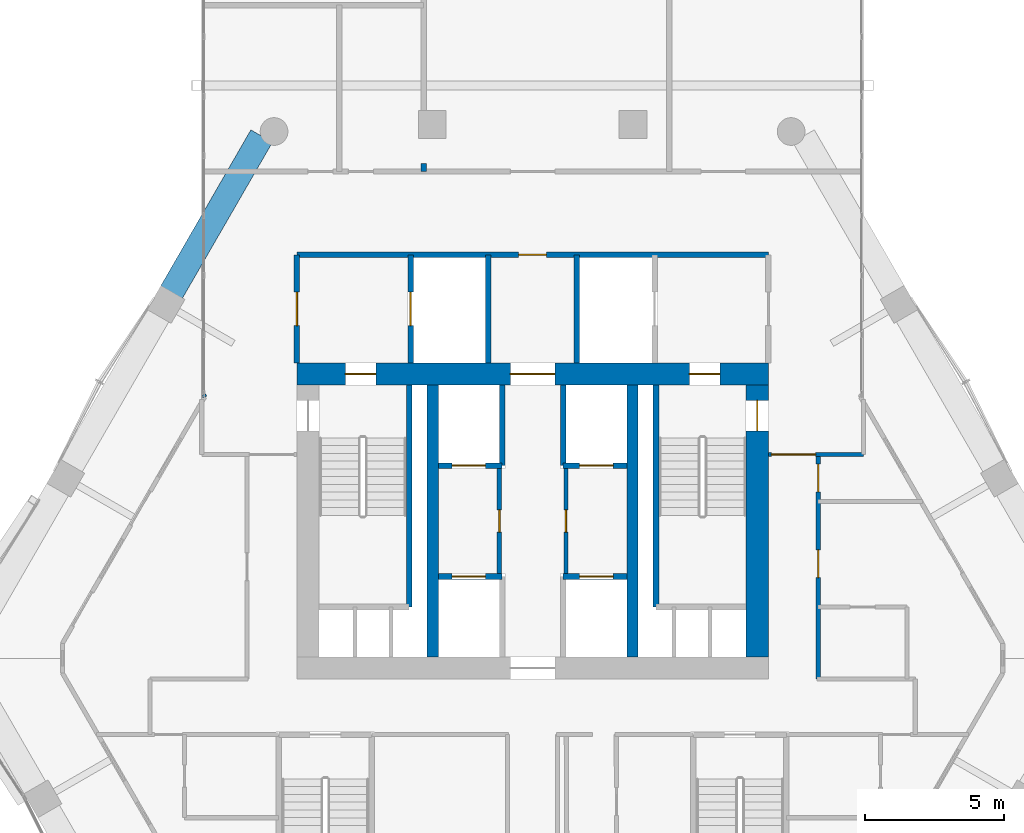
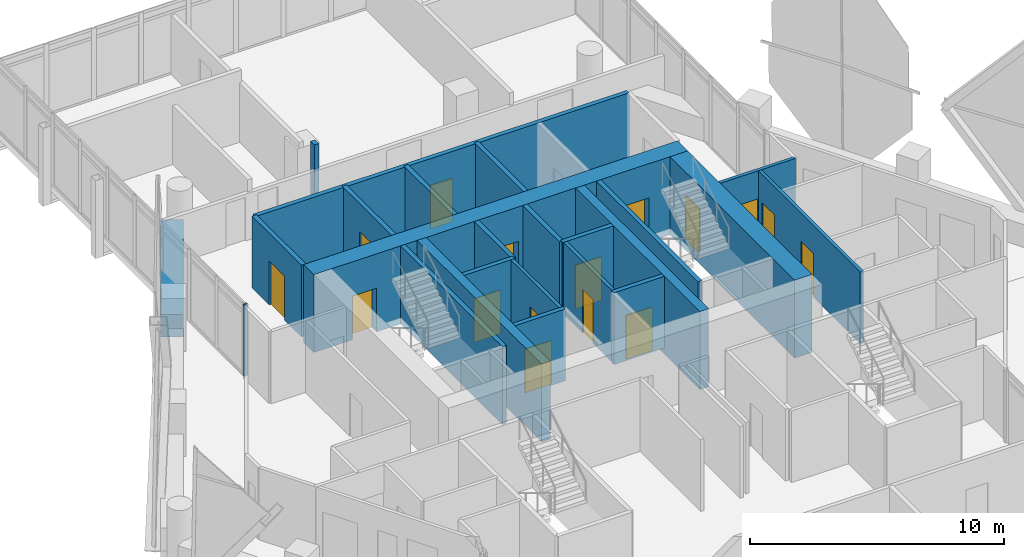
# One storey, part 31 of 37: 24 walls, 16 doors, 16 openings.
"""IFC4 building model written with IfcOpenShell, lengths in metres."""

from ifc_helpers import new_model, si_unit, direction, frame, frame_2d, origin, place, context, subcontext, project, spatial, rectangle, extrude, material, layer, layer_set, type_object, element, fill, save


model = new_model("IFC4")

# Units and contexts
model_context = context("Model", 3, precision=1e-05, world=origin(), true_north=direction((0.0, 1.0)))
body_context = subcontext(model_context, "Body", "Model", "MODEL_VIEW")
ifc_project = project(units=[si_unit("LENGTHUNIT", "METRE"), si_unit("AREAUNIT", "SQUARE_METRE"), si_unit("VOLUMEUNIT", "CUBIC_METRE"), si_unit("PLANEANGLEUNIT", "RADIAN"), si_unit("MASSUNIT", "GRAM", prefix="KILO")], contexts=[model_context])

# Site, building, storey
site_placement = place(None, origin())
site = spatial("IfcSite", under=ifc_project, at=site_placement, CompositionType="ELEMENT")
building_placement = place(site_placement, origin())
building = spatial("IfcBuilding", under=site, at=building_placement, Name="Ostrander Bayou Hotel Tower", CompositionType="ELEMENT")
storey_placement = place(building_placement, frame((0.0, 0.0, 198.25)))
storey = spatial("IfcBuildingStorey", under=building, at=storey_placement, Name="L49", CompositionType="ELEMENT", Elevation=198.25)

# Wall, openings, doors
ifc_material_1 = material(Name="Concrete f'c 60 MPa", Category="concrete")
ifc_layer_1 = layer(ifc_material_1, 0.800048828125)
ifc_layer_set_1 = layer_set([ifc_layer_1], Name="CW7 core wall 800 mm f'c 60 MPa")
wall_type_1 = type_object("IfcWallType", Name="CW7 core wall 800 mm f'c 60 MPa", PredefinedType="SHEAR", material=ifc_layer_set_1)
wall_1_placement = place(storey_placement, frame((-8.5, 9.300048828125, -0.300048828125), z_axis=(0.0, 0.0, 1.0), x_axis=(1.0, 0.0, 0.0)))
wall_1 = element("IfcWall", 1, at=wall_1_placement, inside=storey, type_object=wall_type_1, Name="CW7 L49 N", PredefinedType="SHEAR", context=body_context, shape_type="SweptSolid", body=[
    extrude(rectangle(XDim=17.0, YDim=0.800048828125, at=frame_2d((8.5, 0.0))), origin(), (0.0, 0.0, 1.0), 3.75),
])
opening_1_placement = place(wall_1_placement, frame((7.699951171875, 0.0, 0.0)))
opening_1 = element("IfcOpeningElement", 2, at=opening_1_placement, cuts=wall_1, Name="Opening T48-006", PredefinedType="OPENING", context=body_context, shape_type="SweptSolid", body=[
    extrude(rectangle(XDim=1.60009765625, YDim=2.10009765625, at=frame_2d((0.800048828125, 1.050048828125))), frame((0.0, 0.39990234375, 0.0), z_axis=(0.0, -1.0, 0.0), x_axis=(1.0, 0.0, 0.0)), (0.0, 0.0, 1.0), 0.800048828125),
])
opening_2_placement = place(wall_1_placement, frame((1.75, 0.0, 0.0)))
opening_2 = element("IfcOpeningElement", 3, at=opening_2_placement, cuts=wall_1, Name="Opening T48-007", PredefinedType="OPENING", context=body_context, shape_type="SweptSolid", body=[
    extrude(rectangle(XDim=1.10009765625, YDim=2.10009765625, at=frame_2d((0.550048828125, 1.050048828125))), frame((0.0, 0.39990234375, 0.0), z_axis=(0.0, -1.0, 0.0), x_axis=(1.0, 0.0, 0.0)), (0.0, 0.0, 1.0), 0.800048828125),
])
opening_3_placement = place(wall_1_placement, frame((14.14990234375, 0.0, 0.0)))
opening_3 = element("IfcOpeningElement", 4, at=opening_3_placement, cuts=wall_1, Name="Opening T48-009", PredefinedType="OPENING", context=body_context, shape_type="SweptSolid", body=[
    extrude(rectangle(XDim=1.10009765625, YDim=2.10009765625, at=frame_2d((0.550048828125, 1.050048828125))), frame((0.0, 0.39990234375, 0.0), z_axis=(0.0, -1.0, 0.0), x_axis=(1.0, 0.0, 0.0)), (0.0, 0.0, 1.0), 0.800048828125),
])
ifc_material_2 = material(Name="Timber door leaf", Category="wood")
door_type_1 = type_object("IfcDoorType", Name="D13 double door 1600 x 2100 mm, 1 hour", OperationType="SINGLE_SWING_LEFT", PredefinedType="DOOR", material=ifc_material_2)
door_1_placement = place(opening_1_placement, origin())
door_1 = element("IfcDoor", 5, at=door_1_placement, inside=storey, type_object=door_type_1, Name="dr:L49:006", OperationType="DOUBLE_DOOR_SINGLE_SWING", OverallHeight=2.10009765625, OverallWidth=1.60009765625, PredefinedType="DOOR", context=body_context, shape_type="SweptSolid", body=[
    extrude(rectangle(XDim=1.60009765625, YDim=2.10009765625, at=frame_2d((0.800048828125, 1.050048828125))), frame((0.0, 0.02490234375, 0.0), z_axis=(0.0, -1.0, 0.0), x_axis=(1.0, 0.0, 0.0)), (0.0, 0.0, 1.0), 0.050048828125),
])
fill(opening_1, door_1)
ifc_material_3 = material(Name="Timber door leaf", Category="wood")
door_type_2 = type_object("IfcDoorType", Name="D5 stair door 1100 x 2100 mm, 90 minute", OperationType="SINGLE_SWING_LEFT", PredefinedType="DOOR", material=ifc_material_3)
door_2_placement = place(opening_2_placement, origin())
door_2 = element("IfcDoor", 6, at=door_2_placement, inside=storey, type_object=door_type_2, Name="dr:L49:007", OperationType="SINGLE_SWING_LEFT", OverallHeight=2.10009765625, OverallWidth=1.10009765625, PredefinedType="DOOR", context=body_context, shape_type="SweptSolid", body=[
    extrude(rectangle(XDim=1.10009765625, YDim=2.10009765625, at=frame_2d((0.550048828125, 1.050048828125))), frame((0.0, 0.02490234375, 0.0), z_axis=(0.0, -1.0, 0.0), x_axis=(1.0, 0.0, 0.0)), (0.0, 0.0, 1.0), 0.050048828125),
])
fill(opening_2, door_2)
door_3_placement = place(opening_3_placement, origin())
door_3 = element("IfcDoor", 7, at=door_3_placement, inside=storey, type_object=door_type_2, Name="dr:L49:009", OperationType="SINGLE_SWING_RIGHT", OverallHeight=2.10009765625, OverallWidth=1.10009765625, PredefinedType="DOOR", context=body_context, shape_type="SweptSolid", body=[
    extrude(rectangle(XDim=1.10009765625, YDim=2.10009765625, at=frame_2d((0.550048828125, 1.050048828125))), frame((0.0, 0.02490234375, 0.0), z_axis=(0.0, -1.0, 0.0), x_axis=(1.0, 0.0, 0.0)), (0.0, 0.0, 1.0), 0.050048828125),
])
fill(opening_3, door_3)

# Wall, opening, door
ifc_material_4 = material(Name="Concrete f'c 60 MPa", Category="concrete")
ifc_layer_2 = layer(ifc_material_4, 0.800048828125)
ifc_layer_set_2 = layer_set([ifc_layer_2], Name="CW8 core spine wall 800 mm f'c 60 MPa")
wall_type_2 = type_object("IfcWallType", Name="CW8 core spine wall 800 mm f'c 60 MPa", PredefinedType="SHEAR", material=ifc_layer_set_2)
wall_2_placement = place(storey_placement, frame((8.10009765625, -0.89990234375, -0.300048828125), z_axis=(0.0, 0.0, 1.0), x_axis=(0.0, 1.0, 0.0)))
wall_2 = element("IfcWall", 8, at=wall_2_placement, inside=storey, type_object=wall_type_2, Name="CW8 L49 E", PredefinedType="SHEAR", context=body_context, shape_type="SweptSolid", body=[
    extrude(rectangle(XDim=9.7998046875, YDim=0.800048828125, at=frame_2d((4.89990234375, 0.0))), origin(), (0.0, 0.0, 1.0), 3.75),
])
opening_4_placement = place(wall_2_placement, frame((8.14990234375, 0.0, 0.0)))
opening_4 = element("IfcOpeningElement", 9, at=opening_4_placement, cuts=wall_2, Name="Opening T48-010", PredefinedType="OPENING", context=body_context, shape_type="SweptSolid", body=[
    extrude(rectangle(XDim=1.10009765625, YDim=2.10009765625, at=frame_2d((0.550048828125, 1.050048828125))), frame((0.0, 0.39990234375, 0.0), z_axis=(0.0, -1.0, 0.0), x_axis=(1.0, 0.0, 0.0)), (0.0, 0.0, 1.0), 0.800048828125),
])
door_4_placement = place(opening_4_placement, origin())
door_4 = element("IfcDoor", 10, at=door_4_placement, inside=storey, type_object=door_type_2, Name="dr:L49:010", OperationType="SINGLE_SWING_LEFT", OverallHeight=2.10009765625, OverallWidth=1.10009765625, PredefinedType="DOOR", context=body_context, shape_type="SweptSolid", body=[
    extrude(rectangle(XDim=1.10009765625, YDim=2.10009765625, at=frame_2d((0.550048828125, 1.050048828125))), frame((0.0, 0.02490234375, 0.0), z_axis=(0.0, -1.0, 0.0), x_axis=(1.0, 0.0, 0.0)), (0.0, 0.0, 1.0), 0.050048828125),
])
fill(opening_4, door_4)

# Walls
ifc_material_5 = material(Name="Concrete f'c 60 MPa", Category="concrete")
ifc_layer_3 = layer(ifc_material_5, 0.39990234375)
ifc_layer_set_3 = layer_set([ifc_layer_3], Name="CW9 core bank wall 400 mm f'c 60 MPa")
wall_type_3 = type_object("IfcWallType", Name="CW9 core bank wall 400 mm f'c 60 MPa", PredefinedType="SHEAR", material=ifc_layer_set_3)
for number, where, z_axis, x_axis, name in (
    (11, (-3.60009765625, -0.89990234375, -0.300048828125), (0.0, 0.0, 1.0), (0.0, 1.0, 0.0), "CW9 L49 CW"),
    (12, (3.60009765625, -0.89990234375, -0.300048828125), (0.0, 0.0, 1.0), (0.0, 1.0, 0.0), "CW9 L49 CE"),
):
    element("IfcWall", number, at=place(storey_placement, frame(where, z_axis=z_axis, x_axis=x_axis)), inside=storey, type_object=wall_type_3, Name=name, PredefinedType="SHEAR", context=body_context, shape_type="SweptSolid", body=[
        extrude(rectangle(XDim=9.7998046875, YDim=0.39990234375, at=frame_2d((4.89990234375, 0.0))), origin(), (0.0, 0.0, 1.0), 3.75),
    ])
ifc_material_6 = material(Name="Aluminium framed insulated wall", Category="aluminium")
ifc_layer_4 = layer(ifc_material_6, 0.14990234375)
ifc_layer_set_4 = layer_set([ifc_layer_4], Name="GW1 glass-line wall 150 mm")
wall_type_4 = type_object("IfcWallType", Name="GW1 glass-line wall 150 mm", PredefinedType="SOLIDWALL", material=ifc_layer_set_4)
wall_3_placement = place(storey_placement, frame((-11.823974609375, 8.471923828125, 0.0), z_axis=(0.0, 0.0, 1.0), x_axis=(-0.337751931921, 0.941235163221, 0.0)))
element("IfcWall", 13, at=wall_3_placement, inside=storey, type_object=wall_type_4, Name="GW1 L49 bar joint 1", PredefinedType="SOLIDWALL", context=body_context, shape_type="SweptSolid", body=[
    extrude(rectangle(XDim=0.098388671875, YDim=0.14990234375, at=frame_2d((0.04931640625, 0.0))), origin(), (0.0, 0.0, 1.0), 3.449951171875),
])
ifc_material_7 = material(Name="Concrete f'c 40 MPa", Category="concrete")
ifc_layer_5 = layer(ifc_material_7, 0.89990234375)
ifc_layer_set_5 = layer_set([ifc_layer_5], Name="PA1 stone-faced parapet 900 mm")
wall_type_5 = type_object("IfcWallType", Name="PA1 stone-faced parapet 900 mm", PredefinedType="PARAPET", material=ifc_layer_set_5)
wall_4_placement = place(storey_placement, frame((-9.76953125, 17.88037109375, 0.0), z_axis=(0.0, 0.0, 1.0), x_axis=(-0.499977752261, -0.866038248142, 0.0)))
element("IfcWall", 14, at=wall_4_placement, inside=storey, type_object=wall_type_5, Name="PA1 L49 NW-1", PredefinedType="PARAPET", context=body_context, shape_type="SweptSolid", body=[
    extrude(rectangle(XDim=6.511962890625, YDim=0.89990234375, at=frame_2d((3.255859375, 0.0))), origin(), (0.0, 0.0, 1.0), 1.10009765625),
])
ifc_material_8 = material(Name="Gypsum board partition", Category="finish")
ifc_layer_6 = layer(ifc_material_8, 0.199951171875)
ifc_layer_set_6 = layer_set([ifc_layer_6], Name="PT3 demising wall 200 mm acoustic double stud, 1 hour")
wall_type_6 = type_object("IfcWallType", Name="PT3 demising wall 200 mm acoustic double stud, 1 hour", PredefinedType="PARTITIONING", material=ifc_layer_set_6)
wall_5_placement = place(storey_placement, frame((-3.931884765625, 16.60009765625, 0.0), z_axis=(0.0, 0.0, 1.0), x_axis=(0.0, 1.0, 0.0)))
element("IfcWall", 15, at=wall_5_placement, inside=storey, type_object=wall_type_6, Name="sw:L49:507", PredefinedType="PARTITIONING", context=body_context, shape_type="SweptSolid", body=[
    extrude(rectangle(XDim=0.294921875, YDim=0.199951171875, at=frame_2d((0.1474609375, 0.0))), origin(), (0.0, 0.0, 1.0), 3.449951171875),
])

# Wall, opening, door
ifc_material_9 = material(Name="Masonry block", Category="masonry")
ifc_layer_7 = layer(ifc_material_9, 0.199951171875)
ifc_layer_set_7 = layer_set([ifc_layer_7], Name="PT5 stair enclosure wall 200 mm masonry, 2 hour")
wall_type_7 = type_object("IfcWallType", Name="PT5 stair enclosure wall 200 mm masonry, 2 hour", PredefinedType="PARTITIONING", material=ifc_layer_set_7)
wall_6_placement = place(storey_placement, frame((-8.5, 13.60009765625, 0.0), z_axis=(0.0, 0.0, 1.0), x_axis=(1.0, 0.0, 0.0)))
wall_6 = element("IfcWall", 16, at=wall_6_placement, inside=storey, type_object=wall_type_7, Name="cs:L49:025", PredefinedType="PARTITIONING", context=body_context, shape_type="SweptSolid", body=[
    extrude(rectangle(XDim=17.0, YDim=0.199951171875, at=frame_2d((8.5, 0.0))), origin(), (0.0, 0.0, 1.0), 3.449951171875),
])
opening_5_placement = place(wall_6_placement, frame((8.0, 0.0, 0.0)))
opening_5 = element("IfcOpeningElement", 17, at=opening_5_placement, cuts=wall_6, Name="Opening T48-017", PredefinedType="OPENING", context=body_context, shape_type="SweptSolid", body=[
    extrude(rectangle(XDim=1.0, YDim=2.10009765625, at=frame_2d((0.5, 1.050048828125))), frame((0.0, 0.10009765625, 0.0), z_axis=(0.0, -1.0, 0.0), x_axis=(1.0, 0.0, 0.0)), (0.0, 0.0, 1.0), 0.199951171875),
])
ifc_material_10 = material(Name="Timber door leaf", Category="wood")
door_type_3 = type_object("IfcDoorType", Name="D9 service door 1000 x 2100 mm, 30 minute", OperationType="SINGLE_SWING_LEFT", PredefinedType="DOOR", material=ifc_material_10)
door_5_placement = place(opening_5_placement, origin())
door_5 = element("IfcDoor", 18, at=door_5_placement, inside=storey, type_object=door_type_3, Name="dr:L49:017", OperationType="SINGLE_SWING_LEFT", OverallHeight=2.10009765625, OverallWidth=1.0, PredefinedType="DOOR", context=body_context, shape_type="SweptSolid", body=[
    extrude(rectangle(XDim=1.0, YDim=2.10009765625, at=frame_2d((0.5, 1.050048828125))), frame((0.0, 0.02490234375, 0.0), z_axis=(0.0, -1.0, 0.0), x_axis=(1.0, 0.0, 0.0)), (0.0, 0.0, 1.0), 0.050048828125),
])
fill(opening_5, door_5)

wall_7_placement = place(storey_placement, frame((-8.5, 9.699951171875, 0.0), z_axis=(0.0, 0.0, 1.0), x_axis=(0.0, 1.0, 0.0)))
wall_7 = element("IfcWall", 19, at=wall_7_placement, inside=storey, type_object=wall_type_7, Name="cs:L49:026", PredefinedType="PARTITIONING", context=body_context, shape_type="SweptSolid", body=[
    extrude(rectangle(XDim=3.900146484375, YDim=0.199951171875, at=frame_2d((1.9501953125, 0.0))), origin(), (0.0, 0.0, 1.0), 3.449951171875),
])
opening_6_placement = place(wall_7_placement, frame((1.35009765625, 0.0, 0.0)))
opening_6 = element("IfcOpeningElement", 20, at=opening_6_placement, cuts=wall_7, Name="Opening T48-014", PredefinedType="OPENING", context=body_context, shape_type="SweptSolid", body=[
    extrude(rectangle(XDim=1.199951171875, YDim=2.10009765625, at=frame_2d((0.60009765625, 1.050048828125))), frame((0.0, 0.10009765625, 0.0), z_axis=(0.0, -1.0, 0.0), x_axis=(1.0, 0.0, 0.0)), (0.0, 0.0, 1.0), 0.199951171875),
])
ifc_material_11 = material(Name="Timber door leaf", Category="wood")
door_type_4 = type_object("IfcDoorType", Name="D7 lobby door 1200 x 2100 mm, 1 hour", OperationType="SINGLE_SWING_LEFT", PredefinedType="DOOR", material=ifc_material_11)
door_6_placement = place(opening_6_placement, origin())
door_6 = element("IfcDoor", 21, at=door_6_placement, inside=storey, type_object=door_type_4, Name="dr:L49:014", OperationType="SINGLE_SWING_LEFT", OverallHeight=2.10009765625, OverallWidth=1.199951171875, PredefinedType="DOOR", context=body_context, shape_type="SweptSolid", body=[
    extrude(rectangle(XDim=1.199951171875, YDim=2.10009765625, at=frame_2d((0.60009765625, 1.050048828125))), frame((0.0, 0.02490234375, 0.0), z_axis=(0.0, -1.0, 0.0), x_axis=(1.0, 0.0, 0.0)), (0.0, 0.0, 1.0), 0.050048828125),
])
fill(opening_6, door_6)

wall_8_placement = place(storey_placement, frame((-4.39990234375, 9.699951171875, 0.0), z_axis=(0.0, 0.0, 1.0), x_axis=(0.0, 1.0, 0.0)))
wall_8 = element("IfcWall", 22, at=wall_8_placement, inside=storey, type_object=wall_type_7, Name="cs:L49:028", PredefinedType="PARTITIONING", context=body_context, shape_type="SweptSolid", body=[
    extrude(rectangle(XDim=3.900146484375, YDim=0.199951171875, at=frame_2d((1.9501953125, 0.0))), origin(), (0.0, 0.0, 1.0), 3.449951171875),
])
opening_7_placement = place(wall_8_placement, frame((1.35009765625, 0.0, 0.0)))
opening_7 = element("IfcOpeningElement", 23, at=opening_7_placement, cuts=wall_8, Name="Opening T48-013", PredefinedType="OPENING", context=body_context, shape_type="SweptSolid", body=[
    extrude(rectangle(XDim=1.199951171875, YDim=2.10009765625, at=frame_2d((0.60009765625, 1.050048828125))), frame((0.0, 0.10009765625, 0.0), z_axis=(0.0, -1.0, 0.0), x_axis=(1.0, 0.0, 0.0)), (0.0, 0.0, 1.0), 0.199951171875),
])
ifc_material_12 = material(Name="Stainless steel sliding door", Category="steel")
door_type_5 = type_object("IfcDoorType", Name="LD1 lift landing door 1200 x 2100 mm", OperationType="SINGLE_SWING_LEFT", PredefinedType="DOOR", material=ifc_material_12)
door_7_placement = place(opening_7_placement, origin())
door_7 = element("IfcDoor", 24, at=door_7_placement, inside=storey, type_object=door_type_5, Name="dr:L49:013", OperationType="SLIDING_TO_LEFT", OverallHeight=2.10009765625, OverallWidth=1.199951171875, PredefinedType="DOOR", context=body_context, shape_type="SweptSolid", body=[
    extrude(rectangle(XDim=1.199951171875, YDim=2.10009765625, at=frame_2d((0.60009765625, 1.050048828125))), frame((0.0, 0.02490234375, 0.0), z_axis=(0.0, -1.0, 0.0), x_axis=(1.0, 0.0, 0.0)), (0.0, 0.0, 1.0), 0.050048828125),
])
fill(opening_7, door_7)

ifc_material_13 = material(Name="Masonry block", Category="masonry")
ifc_layer_8 = layer(ifc_material_13, 0.199951171875)
ifc_layer_set_8 = layer_set([ifc_layer_8], Name="PT6 lift shaft wall 200 mm masonry, 2 hour")
wall_type_8 = type_object("IfcWallType", Name="PT6 lift shaft wall 200 mm masonry, 2 hour", PredefinedType="PARTITIONING", material=ifc_layer_set_8)
wall_9_placement = place(storey_placement, frame((-3.39990234375, 2.0, 0.0), z_axis=(0.0, 0.0, 1.0), x_axis=(1.0, 0.0, 0.0)))
wall_9 = element("IfcWall", 25, at=wall_9_placement, inside=storey, type_object=wall_type_8, Name="cs:L49:001", PredefinedType="PARTITIONING", context=body_context, shape_type="SweptSolid", body=[
    extrude(rectangle(XDim=2.2998046875, YDim=0.199951171875, at=frame_2d((1.14990234375, 0.0))), origin(), (0.0, 0.0, 1.0), 3.449951171875),
])
opening_8_placement = place(wall_9_placement, frame((0.5, 0.0, 0.0)))
opening_8 = element("IfcOpeningElement", 26, at=opening_8_placement, cuts=wall_9, Name="Opening T48-001", PredefinedType="OPENING", context=body_context, shape_type="SweptSolid", body=[
    extrude(rectangle(XDim=1.199951171875, YDim=2.10009765625, at=frame_2d((0.60009765625, 1.050048828125))), frame((0.0, 0.10009765625, 0.0), z_axis=(0.0, -1.0, 0.0), x_axis=(1.0, 0.0, 0.0)), (0.0, 0.0, 1.0), 0.199951171875),
])
door_8_placement = place(opening_8_placement, origin())
door_8 = element("IfcDoor", 27, at=door_8_placement, inside=storey, type_object=door_type_5, Name="dr:L49:001", OperationType="SLIDING_TO_LEFT", OverallHeight=2.10009765625, OverallWidth=1.199951171875, PredefinedType="DOOR", context=body_context, shape_type="SweptSolid", body=[
    extrude(rectangle(XDim=1.199951171875, YDim=2.10009765625, at=frame_2d((0.60009765625, 1.050048828125))), frame((0.0, 0.02490234375, 0.0), z_axis=(0.0, -1.0, 0.0), x_axis=(1.0, 0.0, 0.0)), (0.0, 0.0, 1.0), 0.050048828125),
])
fill(opening_8, door_8)

wall_10_placement = place(storey_placement, frame((-3.39990234375, 6.0, 0.0), z_axis=(0.0, 0.0, 1.0), x_axis=(1.0, 0.0, 0.0)))
wall_10 = element("IfcWall", 28, at=wall_10_placement, inside=storey, type_object=wall_type_8, Name="cs:L49:002", PredefinedType="PARTITIONING", context=body_context, shape_type="SweptSolid", body=[
    extrude(rectangle(XDim=2.2998046875, YDim=0.199951171875, at=frame_2d((1.14990234375, 0.0))), origin(), (0.0, 0.0, 1.0), 3.449951171875),
])
opening_9_placement = place(wall_10_placement, frame((0.5, 0.0, 0.0)))
opening_9 = element("IfcOpeningElement", 29, at=opening_9_placement, cuts=wall_10, Name="Opening T48-003", PredefinedType="OPENING", context=body_context, shape_type="SweptSolid", body=[
    extrude(rectangle(XDim=1.199951171875, YDim=2.10009765625, at=frame_2d((0.60009765625, 1.050048828125))), frame((0.0, 0.10009765625, 0.0), z_axis=(0.0, -1.0, 0.0), x_axis=(1.0, 0.0, 0.0)), (0.0, 0.0, 1.0), 0.199951171875),
])
door_9_placement = place(opening_9_placement, origin())
door_9 = element("IfcDoor", 30, at=door_9_placement, inside=storey, type_object=door_type_5, Name="dr:L49:003", OperationType="SLIDING_TO_LEFT", OverallHeight=2.10009765625, OverallWidth=1.199951171875, PredefinedType="DOOR", context=body_context, shape_type="SweptSolid", body=[
    extrude(rectangle(XDim=1.199951171875, YDim=2.10009765625, at=frame_2d((0.60009765625, 1.050048828125))), frame((0.0, 0.02490234375, 0.0), z_axis=(0.0, -1.0, 0.0), x_axis=(1.0, 0.0, 0.0)), (0.0, 0.0, 1.0), 0.050048828125),
])
fill(opening_9, door_9)

wall_11_placement = place(storey_placement, frame((1.10009765625, 2.0, 0.0), z_axis=(0.0, 0.0, 1.0), x_axis=(1.0, 0.0, 0.0)))
wall_11 = element("IfcWall", 31, at=wall_11_placement, inside=storey, type_object=wall_type_8, Name="cs:L49:003", PredefinedType="PARTITIONING", context=body_context, shape_type="SweptSolid", body=[
    extrude(rectangle(XDim=2.2998046875, YDim=0.199951171875, at=frame_2d((1.14990234375, 0.0))), origin(), (0.0, 0.0, 1.0), 3.449951171875),
])
opening_10_placement = place(wall_11_placement, frame((0.60009765625, 0.0, 0.0)))
opening_10 = element("IfcOpeningElement", 32, at=opening_10_placement, cuts=wall_11, Name="Opening T48-002", PredefinedType="OPENING", context=body_context, shape_type="SweptSolid", body=[
    extrude(rectangle(XDim=1.199951171875, YDim=2.10009765625, at=frame_2d((0.60009765625, 1.050048828125))), frame((0.0, 0.10009765625, 0.0), z_axis=(0.0, -1.0, 0.0), x_axis=(1.0, 0.0, 0.0)), (0.0, 0.0, 1.0), 0.199951171875),
])
door_10_placement = place(opening_10_placement, origin())
door_10 = element("IfcDoor", 33, at=door_10_placement, inside=storey, type_object=door_type_5, Name="dr:L49:002", OperationType="SLIDING_TO_LEFT", OverallHeight=2.10009765625, OverallWidth=1.199951171875, PredefinedType="DOOR", context=body_context, shape_type="SweptSolid", body=[
    extrude(rectangle(XDim=1.199951171875, YDim=2.10009765625, at=frame_2d((0.60009765625, 1.050048828125))), frame((0.0, 0.02490234375, 0.0), z_axis=(0.0, -1.0, 0.0), x_axis=(1.0, 0.0, 0.0)), (0.0, 0.0, 1.0), 0.050048828125),
])
fill(opening_10, door_10)

wall_12_placement = place(storey_placement, frame((1.10009765625, 6.0, 0.0), z_axis=(0.0, 0.0, 1.0), x_axis=(1.0, 0.0, 0.0)))
wall_12 = element("IfcWall", 34, at=wall_12_placement, inside=storey, type_object=wall_type_8, Name="cs:L49:004", PredefinedType="PARTITIONING", context=body_context, shape_type="SweptSolid", body=[
    extrude(rectangle(XDim=2.2998046875, YDim=0.199951171875, at=frame_2d((1.14990234375, 0.0))), origin(), (0.0, 0.0, 1.0), 3.449951171875),
])
opening_11_placement = place(wall_12_placement, frame((0.60009765625, 0.0, 0.0)))
opening_11 = element("IfcOpeningElement", 35, at=opening_11_placement, cuts=wall_12, Name="Opening T48-004", PredefinedType="OPENING", context=body_context, shape_type="SweptSolid", body=[
    extrude(rectangle(XDim=1.199951171875, YDim=2.10009765625, at=frame_2d((0.60009765625, 1.050048828125))), frame((0.0, 0.10009765625, 0.0), z_axis=(0.0, -1.0, 0.0), x_axis=(1.0, 0.0, 0.0)), (0.0, 0.0, 1.0), 0.199951171875),
])
door_11_placement = place(opening_11_placement, origin())
door_11 = element("IfcDoor", 36, at=door_11_placement, inside=storey, type_object=door_type_5, Name="dr:L49:004", OperationType="SLIDING_TO_LEFT", OverallHeight=2.10009765625, OverallWidth=1.199951171875, PredefinedType="DOOR", context=body_context, shape_type="SweptSolid", body=[
    extrude(rectangle(XDim=1.199951171875, YDim=2.10009765625, at=frame_2d((0.60009765625, 1.050048828125))), frame((0.0, 0.02490234375, 0.0), z_axis=(0.0, -1.0, 0.0), x_axis=(1.0, 0.0, 0.0)), (0.0, 0.0, 1.0), 0.050048828125),
])
fill(opening_11, door_11)

# Walls
for number, where, z_axis, x_axis, name in (
    (37, (-1.10009765625, 6.0, 0.0), (0.0, 0.0, 1.0), (0.0, 1.0, 0.0), "cs:L49:007"),
    (38, (1.10009765625, 6.0, 0.0), (0.0, 0.0, 1.0), (0.0, 1.0, 0.0), "cs:L49:008"),
):
    element("IfcWall", number, at=place(storey_placement, frame(where, z_axis=z_axis, x_axis=x_axis)), inside=storey, type_object=wall_type_8, Name=name, PredefinedType="PARTITIONING", context=body_context, shape_type="SweptSolid", body=[
        extrude(rectangle(XDim=2.89990234375, YDim=0.199951171875, at=frame_2d((1.449951171875, 0.0))), origin(), (0.0, 0.0, 1.0), 3.449951171875),
    ])
for number, where, z_axis, x_axis, name in (
    (39, (-1.60009765625, 9.699951171875, 0.0), (0.0, 0.0, 1.0), (0.0, 1.0, 0.0), "cs:L49:030"),
    (40, (1.60009765625, 9.699951171875, 0.0), (0.0, 0.0, 1.0), (0.0, 1.0, 0.0), "cs:L49:031"),
):
    element("IfcWall", number, at=place(storey_placement, frame(where, z_axis=z_axis, x_axis=x_axis)), inside=storey, type_object=wall_type_8, Name=name, PredefinedType="PARTITIONING", context=body_context, shape_type="SweptSolid", body=[
        extrude(rectangle(XDim=3.900146484375, YDim=0.199951171875, at=frame_2d((1.9501953125, 0.0))), origin(), (0.0, 0.0, 1.0), 3.449951171875),
    ])

# Wall, opening, door
ifc_material_14 = material(Name="Gypsum board partition", Category="finish")
ifc_layer_9 = layer(ifc_material_14, 0.14990234375)
ifc_layer_set_9 = layer_set([ifc_layer_9], Name="PT7 riser wall 150 mm, 2 hour")
wall_type_9 = type_object("IfcWallType", Name="PT7 riser wall 150 mm, 2 hour", PredefinedType="PARTITIONING", material=ifc_layer_set_9)
wall_13_placement = place(storey_placement, frame((-1.199951171875, 2.10009765625, 0.0), z_axis=(0.0, 0.0, 1.0), x_axis=(0.0, 1.0, 0.0)))
wall_13 = element("IfcWall", 41, at=wall_13_placement, inside=storey, type_object=wall_type_9, Name="cs:L49:032", PredefinedType="PARTITIONING", context=body_context, shape_type="SweptSolid", body=[
    extrude(rectangle(XDim=3.7998046875, YDim=0.14990234375, at=frame_2d((1.89990234375, 0.0))), origin(), (0.0, 0.0, 1.0), 3.449951171875),
])
opening_12_placement = place(wall_13_placement, frame((1.5, 0.0, 0.0)))
opening_12 = element("IfcOpeningElement", 42, at=opening_12_placement, cuts=wall_13, Name="Opening T48-018", PredefinedType="OPENING", context=body_context, shape_type="SweptSolid", body=[
    extrude(rectangle(XDim=0.800048828125, YDim=2.10009765625, at=frame_2d((0.39990234375, 1.050048828125))), frame((0.0, 0.074951171875, 0.0), z_axis=(0.0, -1.0, 0.0), x_axis=(1.0, 0.0, 0.0)), (0.0, 0.0, 1.0), 0.14990234375),
])
ifc_material_15 = material(Name="Timber door leaf", Category="wood")
door_type_6 = type_object("IfcDoorType", Name="D6 riser door 800 x 2100 mm, 90 minute", OperationType="SINGLE_SWING_LEFT", PredefinedType="DOOR", material=ifc_material_15)
door_12_placement = place(opening_12_placement, origin())
door_12 = element("IfcDoor", 43, at=door_12_placement, inside=storey, type_object=door_type_6, Name="dr:L49:018", OperationType="SINGLE_SWING_LEFT", OverallHeight=2.10009765625, OverallWidth=0.800048828125, PredefinedType="DOOR", context=body_context, shape_type="SweptSolid", body=[
    extrude(rectangle(XDim=0.800048828125, YDim=2.10009765625, at=frame_2d((0.39990234375, 1.050048828125))), frame((0.0, 0.02490234375, 0.0), z_axis=(0.0, -1.0, 0.0), x_axis=(1.0, 0.0, 0.0)), (0.0, 0.0, 1.0), 0.050048828125),
])
fill(opening_12, door_12)

wall_14_placement = place(storey_placement, frame((1.199951171875, 2.10009765625, 0.0), z_axis=(0.0, 0.0, 1.0), x_axis=(0.0, 1.0, 0.0)))
wall_14 = element("IfcWall", 44, at=wall_14_placement, inside=storey, type_object=wall_type_9, Name="cs:L49:033", PredefinedType="PARTITIONING", context=body_context, shape_type="SweptSolid", body=[
    extrude(rectangle(XDim=3.7998046875, YDim=0.14990234375, at=frame_2d((1.89990234375, 0.0))), origin(), (0.0, 0.0, 1.0), 3.449951171875),
])
opening_13_placement = place(wall_14_placement, frame((1.5, 0.0, 0.0)))
opening_13 = element("IfcOpeningElement", 45, at=opening_13_placement, cuts=wall_14, Name="Opening T48-019", PredefinedType="OPENING", context=body_context, shape_type="SweptSolid", body=[
    extrude(rectangle(XDim=0.800048828125, YDim=2.10009765625, at=frame_2d((0.39990234375, 1.050048828125))), frame((0.0, 0.074951171875, 0.0), z_axis=(0.0, -1.0, 0.0), x_axis=(1.0, 0.0, 0.0)), (0.0, 0.0, 1.0), 0.14990234375),
])
door_13_placement = place(opening_13_placement, origin())
door_13 = element("IfcDoor", 46, at=door_13_placement, inside=storey, type_object=door_type_6, Name="dr:L49:019", OperationType="SINGLE_SWING_RIGHT", OverallHeight=2.10009765625, OverallWidth=0.800048828125, PredefinedType="DOOR", context=body_context, shape_type="SweptSolid", body=[
    extrude(rectangle(XDim=0.800048828125, YDim=2.10009765625, at=frame_2d((0.39990234375, 1.050048828125))), frame((0.0, 0.02490234375, 0.0), z_axis=(0.0, -1.0, 0.0), x_axis=(1.0, 0.0, 0.0)), (0.0, 0.0, 1.0), 0.050048828125),
])
fill(opening_13, door_13)

ifc_material_16 = material(Name="Gypsum board partition", Category="finish")
ifc_layer_10 = layer(ifc_material_16, 0.14990234375)
ifc_layer_set_10 = layer_set([ifc_layer_10], Name="PT8 service band wall 150 mm, 1 hour")
wall_type_10 = type_object("IfcWallType", Name="PT8 service band wall 150 mm, 1 hour", PredefinedType="PARTITIONING", material=ifc_layer_set_10)
wall_15_placement = place(storey_placement, frame((8.510009765625, 6.39990234375, 0.0), z_axis=(0.0, 0.0, 1.0), x_axis=(1.0, 0.0, 0.0)))
wall_15 = element("IfcWall", 47, at=wall_15_placement, inside=storey, type_object=wall_type_10, Name="gw:L49:017", PredefinedType="PARTITIONING", context=body_context, shape_type="SweptSolid", body=[
    extrude(rectangle(XDim=3.419921875, YDim=0.14990234375, at=frame_2d((1.7099609375, 0.0))), origin(), (0.0, 0.0, 1.0), 3.449951171875),
])
opening_14_placement = place(wall_15_placement, frame((0.10009765625, 0.0, 0.0)))
opening_14 = element("IfcOpeningElement", 48, at=opening_14_placement, cuts=wall_15, Name="Opening T48-1212", PredefinedType="OPENING", context=body_context, shape_type="SweptSolid", body=[
    extrude(rectangle(XDim=1.60009765625, YDim=2.10009765625, at=frame_2d((0.800048828125, 1.050048828125))), frame((0.0, 0.074951171875, 0.0), z_axis=(0.0, -1.0, 0.0), x_axis=(1.0, 0.0, 0.0)), (0.0, 0.0, 1.0), 0.14990234375),
])
door_14_placement = place(opening_14_placement, origin())
door_14 = element("IfcDoor", 49, at=door_14_placement, inside=storey, type_object=door_type_1, Name="dr:L49:1212", OperationType="DOUBLE_DOOR_SINGLE_SWING", OverallHeight=2.10009765625, OverallWidth=1.60009765625, PredefinedType="DOOR", context=body_context, shape_type="SweptSolid", body=[
    extrude(rectangle(XDim=1.60009765625, YDim=2.10009765625, at=frame_2d((0.800048828125, 1.050048828125))), frame((0.0, 0.02490234375, 0.0), z_axis=(0.0, -1.0, 0.0), x_axis=(1.0, 0.0, 0.0)), (0.0, 0.0, 1.0), 0.050048828125),
])
fill(opening_14, door_14)

# Wall, openings, doors
wall_16_placement = place(storey_placement, frame((10.300048828125, -1.699951171875, 0.0), z_axis=(0.0, 0.0, 1.0), x_axis=(0.0, 1.0, 0.0)))
wall_16 = element("IfcWall", 50, at=wall_16_placement, inside=storey, type_object=wall_type_10, Name="gw:L49:023", PredefinedType="PARTITIONING", context=body_context, shape_type="SweptSolid", body=[
    extrude(rectangle(XDim=8.099853515625, YDim=0.14990234375, at=frame_2d((4.0498046875, 0.0))), origin(), (0.0, 0.0, 1.0), 3.449951171875),
])
opening_15_placement = place(wall_16_placement, frame((3.659912109375, 0.0, 0.0)))
opening_15 = element("IfcOpeningElement", 51, at=opening_15_placement, cuts=wall_16, Name="Opening T48-406", PredefinedType="OPENING", context=body_context, shape_type="SweptSolid", body=[
    extrude(rectangle(XDim=1.0, YDim=2.10009765625, at=frame_2d((0.5, 1.050048828125))), frame((0.0, 0.074951171875, 0.0), z_axis=(0.0, -1.0, 0.0), x_axis=(1.0, 0.0, 0.0)), (0.0, 0.0, 1.0), 0.14990234375),
])
opening_16_placement = place(wall_16_placement, frame((6.75, 0.0, 0.0)))
opening_16 = element("IfcOpeningElement", 52, at=opening_16_placement, cuts=wall_16, Name="Opening T48-408", PredefinedType="OPENING", context=body_context, shape_type="SweptSolid", body=[
    extrude(rectangle(XDim=1.0, YDim=2.10009765625, at=frame_2d((0.5, 1.050048828125))), frame((0.0, 0.074951171875, 0.0), z_axis=(0.0, -1.0, 0.0), x_axis=(1.0, 0.0, 0.0)), (0.0, 0.0, 1.0), 0.14990234375),
])
ifc_material_17 = material(Name="Timber door leaf", Category="wood")
door_type_7 = type_object("IfcDoorType", Name="D15 room door 1000 x 2100 mm", OperationType="SINGLE_SWING_LEFT", PredefinedType="DOOR", material=ifc_material_17)
door_15_placement = place(opening_15_placement, origin())
door_15 = element("IfcDoor", 53, at=door_15_placement, inside=storey, type_object=door_type_7, Name="dr:L49:406", OperationType="SINGLE_SWING_RIGHT", OverallHeight=2.10009765625, OverallWidth=1.0, PredefinedType="DOOR", context=body_context, shape_type="SweptSolid", body=[
    extrude(rectangle(XDim=1.0, YDim=2.10009765625, at=frame_2d((0.5, 1.050048828125))), frame((0.0, 0.02490234375, 0.0), z_axis=(0.0, -1.0, 0.0), x_axis=(1.0, 0.0, 0.0)), (0.0, 0.0, 1.0), 0.050048828125),
])
fill(opening_15, door_15)
door_16_placement = place(opening_16_placement, origin())
door_16 = element("IfcDoor", 54, at=door_16_placement, inside=storey, type_object=door_type_3, Name="dr:L49:408", OperationType="SINGLE_SWING_LEFT", OverallHeight=2.10009765625, OverallWidth=1.0, PredefinedType="DOOR", context=body_context, shape_type="SweptSolid", body=[
    extrude(rectangle(XDim=1.0, YDim=2.10009765625, at=frame_2d((0.5, 1.050048828125))), frame((0.0, 0.02490234375, 0.0), z_axis=(0.0, -1.0, 0.0), x_axis=(1.0, 0.0, 0.0)), (0.0, 0.0, 1.0), 0.050048828125),
])
fill(opening_16, door_16)

# Walls
ifc_material_18 = material(Name="Concrete f'c 45 MPa", Category="concrete")
ifc_layer_11 = layer(ifc_material_18, 0.199951171875)
ifc_layer_set_11 = layer_set([ifc_layer_11], Name="SW5 stair enclosure wall 200 mm f'c 45 MPa")
wall_type_11 = type_object("IfcWallType", Name="SW5 stair enclosure wall 200 mm f'c 45 MPa", PredefinedType="SOLIDWALL", material=ifc_layer_set_11)
for number, where, z_axis, x_axis, name in (
    (55, (-4.449951171875, 0.89990234375, -0.300048828125), (0.0, 0.0, 1.0), (0.0, 1.0, 0.0), "cs:L49:009"),
    (56, (4.449951171875, 0.89990234375, -0.300048828125), (0.0, 0.0, 1.0), (0.0, 1.0, 0.0), "cs:L49:013"),
):
    element("IfcWall", number, at=place(storey_placement, frame(where, z_axis=z_axis, x_axis=x_axis)), inside=storey, type_object=wall_type_11, Name=name, PredefinedType="SOLIDWALL", context=body_context, shape_type="SweptSolid", body=[
        extrude(rectangle(XDim=8.0, YDim=0.199951171875, at=frame_2d((4.0, 0.0))), origin(), (0.0, 0.0, 1.0), 3.75),
    ])

save(model, "model.ifc")
